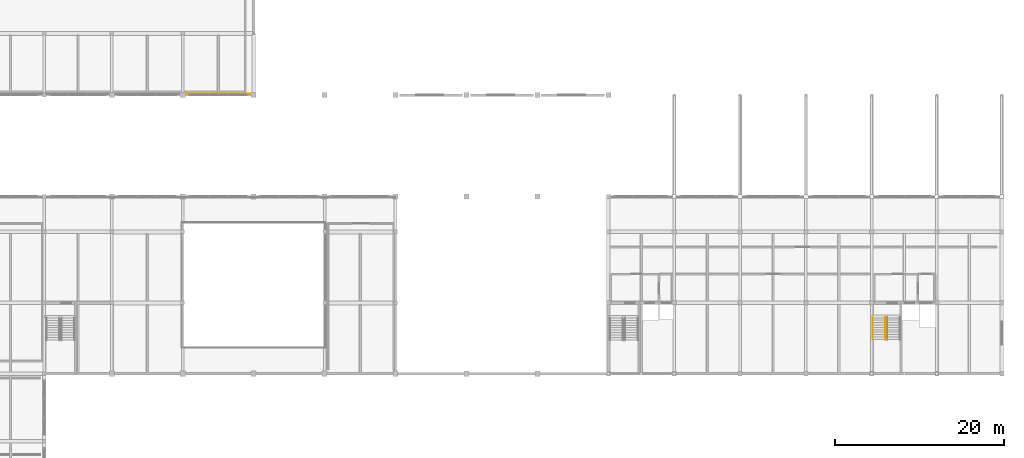
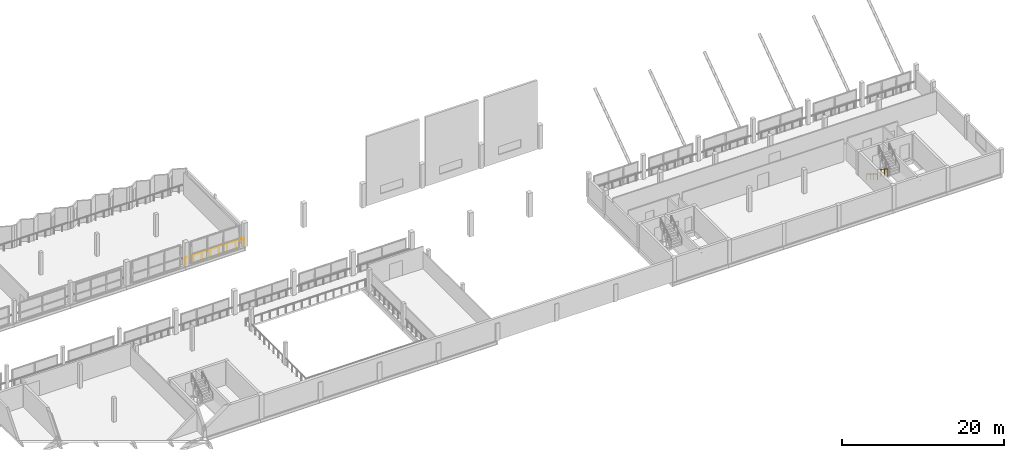
# One storey, part 49 of 51: 3 railings.
"""IFC4 building model written with IfcOpenShell, lengths in metres."""

from ifc_helpers import new_model, si_unit, direction, frame, origin, origin_2d, place, context, subcontext, project, spatial, circle, extrude, material, type_object, element, save


model = new_model("IFC4")

# Units and contexts
model_context = context("Model", 3, precision=1e-05, world=origin(), true_north=direction((0.0, 1.0)))
body_context = subcontext(model_context, "Body", "Model", "MODEL_VIEW")
ifc_project = project(units=[si_unit("LENGTHUNIT", "METRE"), si_unit("AREAUNIT", "SQUARE_METRE"), si_unit("VOLUMEUNIT", "CUBIC_METRE"), si_unit("PLANEANGLEUNIT", "RADIAN"), si_unit("MASSUNIT", "GRAM", prefix="KILO")], contexts=[model_context])

# Site, building, storey
site_placement = place(None, origin())
site = spatial("IfcSite", under=ifc_project, at=site_placement, CompositionType="ELEMENT")
building_placement = place(site_placement, origin())
building = spatial("IfcBuilding", under=site, at=building_placement, Name="Vharandega Faculty of Natural Sciences", CompositionType="ELEMENT")
storey_placement = place(building_placement, frame((0.0, 0.0, 14.39990234375)))
storey = spatial("IfcBuildingStorey", under=building, at=storey_placement, Name="L03", CompositionType="ELEMENT", Elevation=14.39990234375)

# Railings
ifc_material_1 = material(Name="Timber-capped steel and glass balustrade", Category="steel")
railing_type_1 = type_object("IfcRailingType", Name="Atrium Void Balustrade 1100", PredefinedType="BALUSTRADE", material=ifc_material_1)
railing_1_placement = place(storey_placement, frame((64.425048828125, 97.1201171875, 0.0)))
element("IfcRailing", 1, at=railing_1_placement, inside=storey, type_object=railing_type_1, Name="Commons Courtyard Sill Balustrade L03 #6", PredefinedType="BALUSTRADE", context=body_context, shape_type="SweptSolid", body=[
    extrude(circle(Radius=0.02392578125, at=origin_2d()), frame((0.0, 0.0, 1.076171875), z_axis=(1.0, 0.0, 0.0), x_axis=(0.0, 1.0, 0.0)), (0.0, 0.0, 1.0), 8.349853515625),
    extrude(circle(Radius=0.02099609375, at=origin_2d()), origin(), (0.0, 0.0, 1.0), 1.052001953125),
    extrude(circle(Radius=0.02099609375, at=origin_2d()), frame((1.19287109375, 0.0, 0.0)), (0.0, 0.0, 1.0), 1.052001953125),
    extrude(circle(Radius=0.02099609375, at=origin_2d()), frame((2.3857421875, 0.0, 0.0)), (0.0, 0.0, 1.0), 1.052001953125),
    extrude(circle(Radius=0.02099609375, at=origin_2d()), frame((3.57861328125, 0.0, 0.0)), (0.0, 0.0, 1.0), 1.052001953125),
    extrude(circle(Radius=0.02099609375, at=origin_2d()), frame((4.771240234375, 0.0, 0.0)), (0.0, 0.0, 1.0), 1.052001953125),
    extrude(circle(Radius=0.02099609375, at=origin_2d()), frame((5.964111328125, 0.0, 0.0)), (0.0, 0.0, 1.0), 1.052001953125),
    extrude(circle(Radius=0.02099609375, at=origin_2d()), frame((7.156982421875, 0.0, 0.0)), (0.0, 0.0, 1.0), 1.052001953125),
    extrude(circle(Radius=0.02099609375, at=origin_2d()), frame((8.349853515625, 0.0, 0.0)), (0.0, 0.0, 1.0), 1.052001953125),
])
ifc_material_2 = material(Name="Brushed stainless steel handrail", Category="steel")
railing_type_2 = type_object("IfcRailingType", Name="Stair Tubular Handrail 900", PredefinedType="HANDRAIL", material=ifc_material_2)
railing_2_placement = place(storey_placement, frame((146.110107421875, 70.659912109375, 0.18017578125)))
element("IfcRailing", 2, at=railing_2_placement, inside=storey, type_object=railing_type_2, Name="L03 ST2 stair handrail 1", PredefinedType="HANDRAIL", context=body_context, shape_type="SweptSolid", body=[
    extrude(circle(Radius=0.02392578125, at=origin_2d()), frame((0.0, 0.0, 0.8759765625), z_axis=(0.0, -0.849646306263, 0.527352969322), x_axis=(1.0, 0.0, 0.0)), (0.0, 0.0, 1.0), 3.07177734375),
    extrude(circle(Radius=0.02099609375, at=origin_2d()), origin(), (0.0, 0.0, 1.0), 0.851806640625),
    extrude(circle(Radius=0.02099609375, at=origin_2d()), frame((0.0, -0.869873046875, 0.5400390625)), (0.0, 0.0, 1.0), 0.851806640625),
    extrude(circle(Radius=0.02099609375, at=origin_2d()), frame((0.0, -1.739990234375, 1.079833984375)), (0.0, 0.0, 1.0), 0.851806640625),
    extrude(circle(Radius=0.02099609375, at=origin_2d()), frame((0.0, -2.60986328125, 1.619873046875)), (0.0, 0.0, 1.0), 0.851806640625),
])
ifc_material_3 = material(Name="Painted steel stair guardrail", Category="steel")
railing_type_3 = type_object("IfcRailingType", Name="Stairwell Steel Guardrail 1100", PredefinedType="GUARDRAIL", material=ifc_material_3)
railing_3_placement = place(storey_placement, frame((147.610107421875, 70.659912109375, 0.18017578125)))
element("IfcRailing", 3, at=railing_3_placement, inside=storey, type_object=railing_type_3, Name="L03 ST2 stair guard 1", PredefinedType="GUARDRAIL", context=body_context, shape_type="SweptSolid", body=[
    extrude(circle(Radius=0.02392578125, at=origin_2d()), frame((0.0, 0.0, 1.076171875), z_axis=(0.0, -0.849646306263, 0.527352969322), x_axis=(1.0, 0.0, 0.0)), (0.0, 0.0, 1.0), 3.07177734375),
    extrude(circle(Radius=0.02099609375, at=origin_2d()), origin(), (0.0, 0.0, 1.0), 1.052001953125),
    extrude(circle(Radius=0.02099609375, at=origin_2d()), frame((0.0, -0.869873046875, 0.5400390625)), (0.0, 0.0, 1.0), 1.052001953125),
    extrude(circle(Radius=0.02099609375, at=origin_2d()), frame((0.0, -1.739990234375, 1.079833984375)), (0.0, 0.0, 1.0), 1.052001953125),
    extrude(circle(Radius=0.02099609375, at=origin_2d()), frame((0.0, -2.60986328125, 1.619873046875)), (0.0, 0.0, 1.0), 1.052001953125),
])

save(model, "model.ifc")
